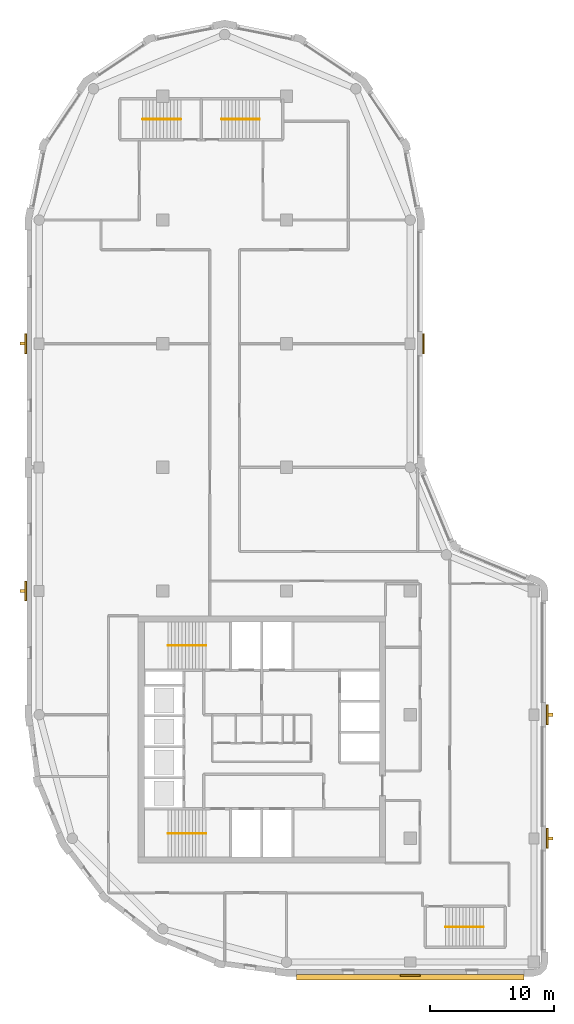
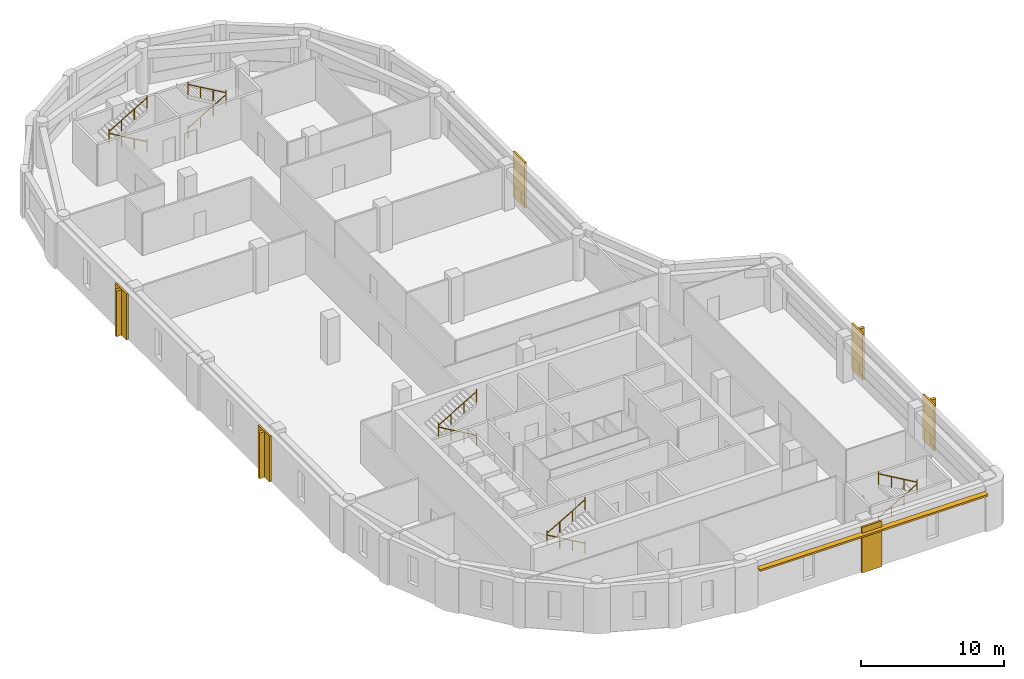
# One storey, part 7 of 8: 10 railings, 6 coverings, 5 shading devices.
"""IFC4 building model written with IfcOpenShell, lengths in metres."""

from ifc_helpers import new_model, si_unit, direction, frame, origin, origin_2d, place, context, subcontext, project, spatial, polyline, rectangle, circle, outline, extrude, material, layer, layer_set, type_object, element, save


model = new_model("IFC4")

# Units and contexts
model_context = context("Model", 3, precision=1e-05, world=origin(), true_north=direction((0.0, 1.0)))
body_context = subcontext(model_context, "Body", "Model", "MODEL_VIEW")
ifc_project = project(units=[si_unit("LENGTHUNIT", "METRE"), si_unit("AREAUNIT", "SQUARE_METRE"), si_unit("VOLUMEUNIT", "CUBIC_METRE"), si_unit("PLANEANGLEUNIT", "RADIAN"), si_unit("MASSUNIT", "GRAM", prefix="KILO")], contexts=[model_context])

# Site, building, storey
site_placement = place(None, origin())
site = spatial("IfcSite", under=ifc_project, at=site_placement, CompositionType="ELEMENT")
building_placement = place(site_placement, origin())
building = spatial("IfcBuilding", under=site, at=building_placement, Name="Qaws Garden Tower", CompositionType="ELEMENT")
storey_placement = place(building_placement, frame((0.0, 0.0, 298.199951171875)))
storey = spatial("IfcBuildingStorey", under=building, at=storey_placement, Name="L72", CompositionType="ELEMENT", Elevation=298.199951171875)

# Coverings
ifc_material_1 = material(Name="Clay facing brick masonry", Category="masonry")
ifc_layer_1 = layer(ifc_material_1, 0.14990234375)
ifc_layer_set_1 = layer_set([ifc_layer_1], Name="Clay facing brick masonry")
covering_type = type_object("IfcCoveringType", Name="Brick pilaster facing 150 x 1600", PredefinedType="CLADDING", material=ifc_layer_set_1)
placement = place(storey_placement, origin())
element("IfcCovering", 1, at=placement, inside=storey, type_object=covering_type, Name="E-L72-pier-01", PredefinedType="CLADDING", context=body_context, shape_type="SweptSolid", body=[
    extrude(outline(polyline([(29.199951171875, -1.0), (30.800048828125, -1.0), (30.800048828125, -1.14990234375), (29.199951171875, -1.14990234375), (29.199951171875, -1.0)])), origin(), (0.0, 0.0, 1.0), 3.900146484375),
])
element("IfcCovering", 2, at=placement, inside=storey, type_object=covering_type, Name="E-L72-pier-03", PredefinedType="CLADDING", context=body_context, shape_type="SweptSolid", body=[
    extrude(outline(polyline([(41.0, 9.199951171875), (41.0, 10.800048828125), (41.14990234375, 10.800048828125), (41.14990234375, 9.199951171875), (41.0, 9.199951171875)])), origin(), (0.0, 0.0, 1.0), 3.900146484375),
])
element("IfcCovering", 3, at=placement, inside=storey, type_object=covering_type, Name="E-L72-pier-04", PredefinedType="CLADDING", context=body_context, shape_type="SweptSolid", body=[
    extrude(outline(polyline([(41.0, 19.199951171875), (41.0, 20.800048828125), (41.14990234375, 20.800048828125), (41.14990234375, 19.199951171875), (41.0, 19.199951171875)])), origin(), (0.0, 0.0, 1.0), 3.900146484375),
])
element("IfcCovering", 4, at=placement, inside=storey, type_object=covering_type, Name="E-L72-pier-08", PredefinedType="CLADDING", context=body_context, shape_type="SweptSolid", body=[
    extrude(outline(polyline([(31.0, 49.199951171875), (31.0, 50.800048828125), (31.14990234375, 50.800048828125), (31.14990234375, 49.199951171875), (31.0, 49.199951171875)])), origin(), (0.0, 0.0, 1.0), 3.900146484375),
])
element("IfcCovering", 5, at=placement, inside=storey, type_object=covering_type, Name="E-L72-pier-18", PredefinedType="CLADDING", context=body_context, shape_type="SweptSolid", body=[
    extrude(outline(polyline([(-1.0, 50.800048828125), (-1.0, 49.199951171875), (-1.14990234375, 49.199951171875), (-1.14990234375, 50.800048828125), (-1.0, 50.800048828125)])), origin(), (0.0, 0.0, 1.0), 3.900146484375),
])
element("IfcCovering", 6, at=placement, inside=storey, type_object=covering_type, Name="E-L72-pier-20", PredefinedType="CLADDING", context=body_context, shape_type="SweptSolid", body=[
    extrude(outline(polyline([(-1.0, 30.800048828125), (-1.0, 29.199951171875), (-1.14990234375, 29.199951171875), (-1.14990234375, 30.800048828125), (-1.0, 30.800048828125)])), origin(), (0.0, 0.0, 1.0), 3.900146484375),
])

# Shading devices
ifc_material_2 = material(Name="Clay facing brick masonry", Category="masonry")
ifc_layer_2 = layer(ifc_material_2, 0.14990234375)
ifc_layer_set_2 = layer_set([ifc_layer_2], Name="Clay facing brick masonry")
shading_device_type_1 = type_object("IfcShadingDeviceType", Name="Brick sunshade band 450 x 150", PredefinedType="JALOUSIE", material=ifc_layer_set_2)
shading_device_placement = place(storey_placement, frame((0.0, 0.0, 3.25)))
element("IfcShadingDevice", 7, at=shading_device_placement, inside=storey, type_object=shading_device_type_1, Name="SUNSHADE 00", PredefinedType="JALOUSIE", context=body_context, shape_type="SweptSolid", body=[
    extrude(outline(polyline([(20.800048828125, -1.0), (20.800048828125, -1.449951171875), (39.199951171875, -1.449951171875), (39.199951171875, -1.0), (30.800048828125, -1.0), (30.800048828125, -1.14990234375), (29.199951171875, -1.14990234375), (29.199951171875, -1.0), (20.800048828125, -1.0)])), origin(), (0.0, 0.0, 1.0), 0.150146484375),
])
ifc_material_3 = material(Name="Clay facing brick masonry", Category="masonry")
ifc_layer_3 = layer(ifc_material_3, 0.25)
ifc_layer_set_3 = layer_set([ifc_layer_3], Name="Clay facing brick masonry")
shading_device_type_2 = type_object("IfcShadingDeviceType", Name="Brick-faced fin 250 x 400", PredefinedType="USERDEFINED", material=ifc_layer_set_3)
for number, where, z_axis, x_axis, name in (
    (8, (41.35009765625, 10.0, 0.0), (0.0, 0.0, 1.0), (0.0, 1.0, 0.0), "FIN 03"),
    (9, (41.35009765625, 20.0, 0.0), (0.0, 0.0, 1.0), (0.0, 1.0, 0.0), "FIN 04"),
    (10, (-1.35009765625, 50.0, 0.0), (0.0, 0.0, 1.0), (0.0, -1.0, 0.0), "FIN 18"),
    (11, (-1.35009765625, 30.0, 0.0), (0.0, 0.0, 1.0), (0.0, -1.0, 0.0), "FIN 20"),
):
    element("IfcShadingDevice", number, at=place(storey_placement, frame(where, z_axis=z_axis, x_axis=x_axis)), inside=storey, type_object=shading_device_type_2, Name=name, ObjectType="FIN", PredefinedType="USERDEFINED", context=body_context, shape_type="SweptSolid", body=[
        extrude(rectangle(XDim=0.25, YDim=0.39990234375, at=origin_2d()), origin(), (0.0, 0.0, 1.0), 3.89990234375),
    ])

# Railings
ifc_material_4 = material(Name="Steel S355", Category="steel")
railing_type = type_object("IfcRailingType", Name="Stair handrail 900", PredefinedType="HANDRAIL", material=ifc_material_4)
railing_1_placement = place(storey_placement, frame((13.5, 10.39990234375, 0.16259765625)))
element("IfcRailing", 12, at=railing_1_placement, inside=storey, type_object=railing_type, Name="Stair 1 handrail", PredefinedType="HANDRAIL", context=body_context, shape_type="SweptSolid", body=[
    extrude(circle(Radius=0.02392578125, at=origin_2d()), frame((0.0, 0.0, 0.8759765625), z_axis=(-0.864920483161, 0.0, 0.501908913857), x_axis=(0.0, -1.0, 0.0)), (0.0, 0.0, 1.0), 3.56103515625),
    extrude(circle(Radius=0.02099609375, at=origin_2d()), origin(), (0.0, 0.0, 1.0), 1.06201171875),
    extrude(circle(Radius=0.02099609375, at=origin_2d()), frame((-1.026611328125, 0.0, 0.595703125)), (0.0, 0.0, 1.0), 0.851806640625),
    extrude(circle(Radius=0.02099609375, at=origin_2d()), frame((-2.053466796875, 0.0, 1.191650390625)), (0.0, 0.0, 1.0), 0.851806640625),
    extrude(circle(Radius=0.02099609375, at=origin_2d()), frame((-3.080078125, 0.0, 1.787353515625)), (0.0, 0.0, 1.0), 1.06201171875),
])
railing_2_placement = place(storey_placement, frame((10.419921875, 10.39990234375, 2.112548828125)))
element("IfcRailing", 13, at=railing_2_placement, inside=storey, type_object=railing_type, Name="Stair 1 handrail", PredefinedType="HANDRAIL", context=body_context, shape_type="SweptSolid", body=[
    extrude(circle(Radius=0.02392578125, at=origin_2d()), frame((0.0, 0.0, 0.8759765625), z_axis=(0.864890721111, 0.0, 0.501960198159), x_axis=(0.0, 1.0, 0.0)), (0.0, 0.0, 1.0), 3.561279296875),
    extrude(circle(Radius=0.02099609375, at=origin_2d()), origin(), (0.0, 0.0, 1.0), 1.06201171875),
    extrude(circle(Radius=0.02099609375, at=origin_2d()), frame((1.026611328125, 0.0, 0.595947265625)), (0.0, 0.0, 1.0), 0.851806640625),
    extrude(circle(Radius=0.02099609375, at=origin_2d()), frame((2.053466796875, 0.0, 1.191650390625)), (0.0, 0.0, 1.0), 0.851806640625),
    extrude(circle(Radius=0.02099609375, at=origin_2d()), frame((3.080078125, 0.0, 1.78759765625)), (0.0, 0.0, 1.0), 1.06201171875),
])
railing_3_placement = place(storey_placement, frame((13.5, 25.60009765625, 0.16259765625)))
element("IfcRailing", 14, at=railing_3_placement, inside=storey, type_object=railing_type, Name="Stair 4 handrail", PredefinedType="HANDRAIL", context=body_context, shape_type="SweptSolid", body=[
    extrude(circle(Radius=0.02392578125, at=origin_2d()), frame((0.0, 0.0, 0.8759765625), z_axis=(-0.864920483161, 0.0, 0.501908913857), x_axis=(0.0, -1.0, 0.0)), (0.0, 0.0, 1.0), 3.56103515625),
    extrude(circle(Radius=0.02099609375, at=origin_2d()), origin(), (0.0, 0.0, 1.0), 1.06201171875),
    extrude(circle(Radius=0.02099609375, at=origin_2d()), frame((-1.026611328125, 0.0, 0.595703125)), (0.0, 0.0, 1.0), 0.851806640625),
    extrude(circle(Radius=0.02099609375, at=origin_2d()), frame((-2.053466796875, 0.0, 1.191650390625)), (0.0, 0.0, 1.0), 0.851806640625),
    extrude(circle(Radius=0.02099609375, at=origin_2d()), frame((-3.080078125, 0.0, 1.787353515625)), (0.0, 0.0, 1.0), 1.06201171875),
])
railing_4_placement = place(storey_placement, frame((10.419921875, 25.60009765625, 2.112548828125)))
element("IfcRailing", 15, at=railing_4_placement, inside=storey, type_object=railing_type, Name="Stair 4 handrail", PredefinedType="HANDRAIL", context=body_context, shape_type="SweptSolid", body=[
    extrude(circle(Radius=0.02392578125, at=origin_2d()), frame((0.0, 0.0, 0.8759765625), z_axis=(0.864890721111, 0.0, 0.501960198159), x_axis=(0.0, 1.0, 0.0)), (0.0, 0.0, 1.0), 3.561279296875),
    extrude(circle(Radius=0.02099609375, at=origin_2d()), origin(), (0.0, 0.0, 1.0), 1.06201171875),
    extrude(circle(Radius=0.02099609375, at=origin_2d()), frame((1.026611328125, 0.0, 0.595947265625)), (0.0, 0.0, 1.0), 0.851806640625),
    extrude(circle(Radius=0.02099609375, at=origin_2d()), frame((2.053466796875, 0.0, 1.191650390625)), (0.0, 0.0, 1.0), 0.851806640625),
    extrude(circle(Radius=0.02099609375, at=origin_2d()), frame((3.080078125, 0.0, 1.78759765625)), (0.0, 0.0, 1.0), 1.06201171875),
])
railing_5_placement = place(storey_placement, frame((32.85009765625, 2.85009765625, 0.16259765625)))
element("IfcRailing", 16, at=railing_5_placement, inside=storey, type_object=railing_type, Name="Stair 5 handrail", PredefinedType="HANDRAIL", context=body_context, shape_type="SweptSolid", body=[
    extrude(circle(Radius=0.02392578125, at=origin_2d()), frame((0.0, 0.0, 0.8759765625), z_axis=(0.864903211148, 0.0, 0.501938676878), x_axis=(0.0, 1.0, 0.0)), (0.0, 0.0, 1.0), 3.560791015625),
    extrude(circle(Radius=0.02099609375, at=origin_2d()), origin(), (0.0, 0.0, 1.0), 1.06201171875),
    extrude(circle(Radius=0.02099609375, at=origin_2d()), frame((1.026611328125, 0.0, 0.595703125)), (0.0, 0.0, 1.0), 0.851806640625),
    extrude(circle(Radius=0.02099609375, at=origin_2d()), frame((2.05322265625, 0.0, 1.191650390625)), (0.0, 0.0, 1.0), 0.851806640625),
    extrude(circle(Radius=0.02099609375, at=origin_2d()), frame((3.079833984375, 0.0, 1.787353515625)), (0.0, 0.0, 1.0), 1.06201171875),
])
railing_6_placement = place(storey_placement, frame((35.929931640625, 2.85009765625, 2.112548828125)))
element("IfcRailing", 17, at=railing_6_placement, inside=storey, type_object=railing_type, Name="Stair 5 handrail", PredefinedType="HANDRAIL", context=body_context, shape_type="SweptSolid", body=[
    extrude(circle(Radius=0.02392578125, at=origin_2d()), frame((0.0, 0.0, 0.8759765625), z_axis=(-0.864873446163, 0.0, 0.501989962173), x_axis=(0.0, -1.0, 0.0)), (0.0, 0.0, 1.0), 3.56103515625),
    extrude(circle(Radius=0.02099609375, at=origin_2d()), origin(), (0.0, 0.0, 1.0), 1.06201171875),
    extrude(circle(Radius=0.02099609375, at=origin_2d()), frame((-1.026611328125, 0.0, 0.595947265625)), (0.0, 0.0, 1.0), 0.851806640625),
    extrude(circle(Radius=0.02099609375, at=origin_2d()), frame((-2.05322265625, 0.0, 1.191650390625)), (0.0, 0.0, 1.0), 0.851806640625),
    extrude(circle(Radius=0.02099609375, at=origin_2d()), frame((-3.079833984375, 0.0, 1.78759765625)), (0.0, 0.0, 1.0), 1.06201171875),
])
railing_7_placement = place(storey_placement, frame((11.449951171875, 68.14990234375, 0.16259765625)))
element("IfcRailing", 18, at=railing_7_placement, inside=storey, type_object=railing_type, Name="Stair 6 handrail", PredefinedType="HANDRAIL", context=body_context, shape_type="SweptSolid", body=[
    extrude(circle(Radius=0.02392578125, at=origin_2d()), frame((0.0, 0.0, 0.8759765625), z_axis=(-0.864903211148, 0.0, 0.501938676878), x_axis=(0.0, -1.0, 0.0)), (0.0, 0.0, 1.0), 3.560791015625),
    extrude(circle(Radius=0.02099609375, at=origin_2d()), origin(), (0.0, 0.0, 1.0), 1.06201171875),
    extrude(circle(Radius=0.02099609375, at=origin_2d()), frame((-1.026611328125, 0.0, 0.595703125)), (0.0, 0.0, 1.0), 0.851806640625),
    extrude(circle(Radius=0.02099609375, at=origin_2d()), frame((-2.05322265625, 0.0, 1.191650390625)), (0.0, 0.0, 1.0), 0.851806640625),
    extrude(circle(Radius=0.02099609375, at=origin_2d()), frame((-3.079833984375, 0.0, 1.787353515625)), (0.0, 0.0, 1.0), 1.06201171875),
])
railing_8_placement = place(storey_placement, frame((8.3701171875, 68.14990234375, 2.112548828125)))
element("IfcRailing", 19, at=railing_8_placement, inside=storey, type_object=railing_type, Name="Stair 6 handrail", PredefinedType="HANDRAIL", context=body_context, shape_type="SweptSolid", body=[
    extrude(circle(Radius=0.02392578125, at=origin_2d()), frame((0.0, 0.0, 0.8759765625), z_axis=(0.864873446163, 0.0, 0.501989962173), x_axis=(0.0, 1.0, 0.0)), (0.0, 0.0, 1.0), 3.56103515625),
    extrude(circle(Radius=0.02099609375, at=origin_2d()), origin(), (0.0, 0.0, 1.0), 1.06201171875),
    extrude(circle(Radius=0.02099609375, at=origin_2d()), frame((1.026611328125, 0.0, 0.595947265625)), (0.0, 0.0, 1.0), 0.851806640625),
    extrude(circle(Radius=0.02099609375, at=origin_2d()), frame((2.05322265625, 0.0, 1.191650390625)), (0.0, 0.0, 1.0), 0.851806640625),
    extrude(circle(Radius=0.02099609375, at=origin_2d()), frame((3.079833984375, 0.0, 1.78759765625)), (0.0, 0.0, 1.0), 1.06201171875),
])
railing_9_placement = place(storey_placement, frame((14.75, 68.14990234375, 0.16259765625)))
element("IfcRailing", 20, at=railing_9_placement, inside=storey, type_object=railing_type, Name="Stair 7 handrail", PredefinedType="HANDRAIL", context=body_context, shape_type="SweptSolid", body=[
    extrude(circle(Radius=0.02392578125, at=origin_2d()), frame((0.0, 0.0, 0.8759765625), z_axis=(0.864920483161, 0.0, 0.501908913857), x_axis=(0.0, 1.0, 0.0)), (0.0, 0.0, 1.0), 3.56103515625),
    extrude(circle(Radius=0.02099609375, at=origin_2d()), origin(), (0.0, 0.0, 1.0), 1.06201171875),
    extrude(circle(Radius=0.02099609375, at=origin_2d()), frame((1.026611328125, 0.0, 0.595703125)), (0.0, 0.0, 1.0), 0.851806640625),
    extrude(circle(Radius=0.02099609375, at=origin_2d()), frame((2.053466796875, 0.0, 1.191650390625)), (0.0, 0.0, 1.0), 0.851806640625),
    extrude(circle(Radius=0.02099609375, at=origin_2d()), frame((3.080078125, 0.0, 1.787353515625)), (0.0, 0.0, 1.0), 1.06201171875),
])
railing_10_placement = place(storey_placement, frame((17.830078125, 68.14990234375, 2.112548828125)))
element("IfcRailing", 21, at=railing_10_placement, inside=storey, type_object=railing_type, Name="Stair 7 handrail", PredefinedType="HANDRAIL", context=body_context, shape_type="SweptSolid", body=[
    extrude(circle(Radius=0.02392578125, at=origin_2d()), frame((0.0, 0.0, 0.8759765625), z_axis=(-0.864890721111, 0.0, 0.501960198159), x_axis=(0.0, -1.0, 0.0)), (0.0, 0.0, 1.0), 3.561279296875),
    extrude(circle(Radius=0.02099609375, at=origin_2d()), origin(), (0.0, 0.0, 1.0), 1.06201171875),
    extrude(circle(Radius=0.02099609375, at=origin_2d()), frame((-1.026611328125, 0.0, 0.595947265625)), (0.0, 0.0, 1.0), 0.851806640625),
    extrude(circle(Radius=0.02099609375, at=origin_2d()), frame((-2.053466796875, 0.0, 1.191650390625)), (0.0, 0.0, 1.0), 0.851806640625),
    extrude(circle(Radius=0.02099609375, at=origin_2d()), frame((-3.080078125, 0.0, 1.78759765625)), (0.0, 0.0, 1.0), 1.06201171875),
])

save(model, "model.ifc")
